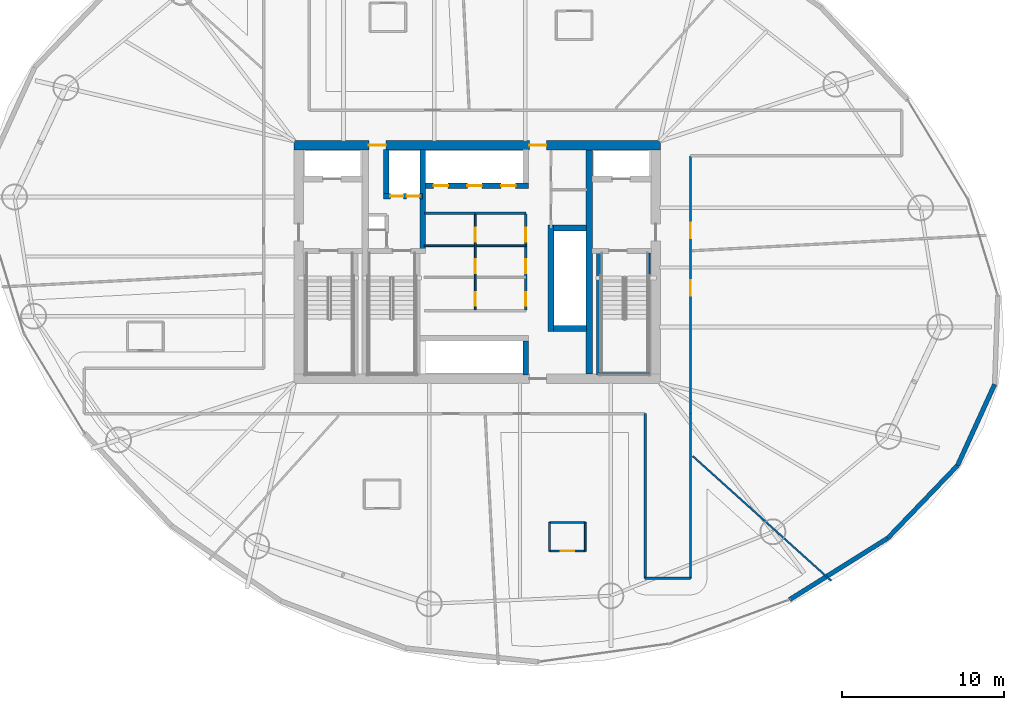
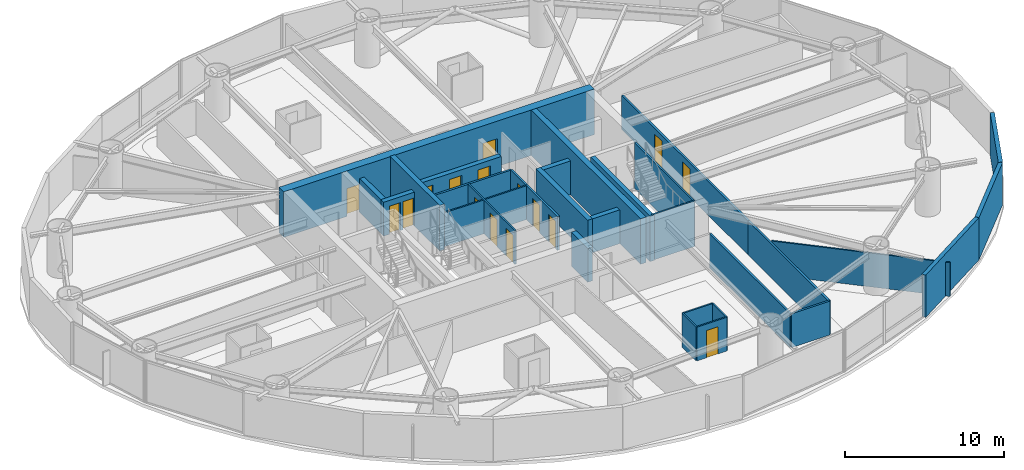
# One storey, part 24 of 30: 29 walls, 16 doors, 16 openings.
"""IFC4 building model written with IfcOpenShell, lengths in metres."""

from ifc_helpers import new_model, si_unit, direction, frame, frame_2d, origin, place, context, subcontext, project, spatial, rectangle, extrude, material, layer, layer_set, type_object, element, fill, save


model = new_model("IFC4")

# Units and contexts
model_context = context("Model", 3, precision=1e-05, world=origin(), true_north=direction((0.0, 1.0)))
body_context = subcontext(model_context, "Body", "Model", "MODEL_VIEW")
ifc_project = project(units=[si_unit("LENGTHUNIT", "METRE"), si_unit("AREAUNIT", "SQUARE_METRE"), si_unit("VOLUMEUNIT", "CUBIC_METRE"), si_unit("PLANEANGLEUNIT", "RADIAN"), si_unit("MASSUNIT", "GRAM", prefix="KILO")], contexts=[model_context])

# Site, building, storey
site_placement = place(None, origin())
site = spatial("IfcSite", under=ifc_project, at=site_placement, CompositionType="ELEMENT")
building_placement = place(site_placement, origin())
building = spatial("IfcBuilding", under=site, at=building_placement, Name="Bramvorn Convention Spire", CompositionType="ELEMENT")
storey_placement = place(building_placement, frame((0.0, 0.0, 86.89990234375)))
storey = spatial("IfcBuildingStorey", under=building, at=storey_placement, Name="L20", CompositionType="ELEMENT", Elevation=86.89990234375)

# Wall, openings, doors
ifc_material_1 = material(Name="Concrete C60/70", Category="concrete")
ifc_layer_1 = layer(ifc_material_1, 0.60009765625)
ifc_layer_set_1 = layer_set([ifc_layer_1], Name="Concrete C60/70 - WL-CORE-600")
wall_type_1 = type_object("IfcWallType", Name="WL-CORE-600", PredefinedType="SHEAR", material=ifc_layer_set_1)
wall_1_placement = place(storey_placement, frame((26.699951171875, 33.199951171875, 0.0), z_axis=(0.0, 0.0, 1.0), x_axis=(1.0, 0.0, 0.0)))
wall_1 = element("IfcWall", 1, at=wall_1_placement, inside=storey, type_object=wall_type_1, Name="L20 North RC core shear wall", PredefinedType="SHEAR", context=body_context, shape_type="SweptSolid", body=[
    extrude(rectangle(XDim=22.60009765625, YDim=0.60009765625, at=frame_2d((11.300048828125, 0.0))), origin(), (0.0, 0.0, 1.0), 3.5),
])
opening_1_placement = place(wall_1_placement, frame((4.6201171875, 0.0, 0.0)))
opening_1 = element("IfcOpeningElement", 2, at=opening_1_placement, cuts=wall_1, Name="Opening DL-105", PredefinedType="OPENING", context=body_context, shape_type="SweptSolid", body=[
    extrude(rectangle(XDim=1.050048828125, YDim=2.14990234375, at=frame_2d((0.52490234375, 1.074951171875))), frame((0.0, 0.31005859375, 0.0), z_axis=(0.0, -1.0, 0.0), x_axis=(1.0, 0.0, 0.0)), (0.0, 0.0, 1.0), 0.6201171875),
])
opening_2_placement = place(wall_1_placement, frame((14.52001953125, 0.0, 0.0)))
opening_2 = element("IfcOpeningElement", 3, at=opening_2_placement, cuts=wall_1, Name="Opening DL-105", PredefinedType="OPENING", context=body_context, shape_type="SweptSolid", body=[
    extrude(rectangle(XDim=1.050048828125, YDim=2.14990234375, at=frame_2d((0.52490234375, 1.074951171875))), frame((0.0, 0.31005859375, 0.0), z_axis=(0.0, -1.0, 0.0), x_axis=(1.0, 0.0, 0.0)), (0.0, 0.0, 1.0), 0.6201171875),
])
ifc_material_2 = material(Name="Smoke-Sealed Fire Lobby Timber-Core Door", Category="wood")
door_type_1 = type_object("IfcDoorType", Name="DR-LOBBY-1050", OperationType="NOTDEFINED", PredefinedType="DOOR", material=ifc_material_2)
door_1_placement = place(opening_1_placement, origin())
door_1 = element("IfcDoor", 4, at=door_1_placement, inside=storey, type_object=door_type_1, Name="L20 Service & Stair ST3 Lobby north corridor door", OperationType="SINGLE_SWING_LEFT", OverallHeight=2.14990234375, OverallWidth=1.050048828125, PredefinedType="DOOR", context=body_context, shape_type="SweptSolid", body=[
    extrude(rectangle(XDim=1.050048828125, YDim=2.14990234375, at=frame_2d((0.52490234375, 1.074951171875))), frame((0.0, 0.02490234375, 0.0), z_axis=(0.0, -1.0, 0.0), x_axis=(1.0, 0.0, 0.0)), (0.0, 0.0, 1.0), 0.050048828125),
])
fill(opening_1, door_1)
door_2_placement = place(opening_2_placement, origin())
door_2 = element("IfcDoor", 5, at=door_2_placement, inside=storey, type_object=door_type_1, Name="L20 North Lift Lobby fire door", OperationType="SINGLE_SWING_LEFT", OverallHeight=2.14990234375, OverallWidth=1.050048828125, PredefinedType="DOOR", context=body_context, shape_type="SweptSolid", body=[
    extrude(rectangle(XDim=1.050048828125, YDim=2.14990234375, at=frame_2d((0.52490234375, 1.074951171875))), frame((0.0, 0.02490234375, 0.0), z_axis=(0.0, -1.0, 0.0), x_axis=(1.0, 0.0, 0.0)), (0.0, 0.0, 1.0), 0.050048828125),
])
fill(opening_2, door_2)

# Wall
ifc_material_3 = material(Name="Concrete C50/60", Category="concrete")
ifc_layer_2 = layer(ifc_material_3, 0.35009765625)
ifc_layer_set_2 = layer_set([ifc_layer_2], Name="Concrete C50/60 - WL-CORE-INT-350")
wall_type_2 = type_object("IfcWallType", Name="WL-CORE-INT-350", PredefinedType="SHEAR", material=ifc_layer_set_2)
wall_2_placement = place(storey_placement, frame((34.639892578125, 26.68994140625, 0.0), z_axis=(0.0, 0.0, 1.0), x_axis=(0.0, 1.0, 0.0)))
element("IfcWall", 6, at=wall_2_placement, inside=storey, type_object=wall_type_2, Name="L20 SV east core shaft wall", PredefinedType="SHEAR", context=body_context, shape_type="SweptSolid", body=[
    extrude(rectangle(XDim=6.260009765625, YDim=0.35009765625, at=frame_2d((3.1298828125, 0.0))), origin(), (0.0, 0.0, 1.0), 3.5),
])

# Wall, openings, doors
wall_3_placement = place(storey_placement, frame((32.22998046875, 30.050048828125, 0.0), z_axis=(0.0, 0.0, 1.0), x_axis=(1.0, 0.0, 0.0)))
wall_3 = element("IfcWall", 7, at=wall_3_placement, inside=storey, type_object=wall_type_2, Name="L20 SV1/SV2 shaft front wall", PredefinedType="SHEAR", context=body_context, shape_type="SweptSolid", body=[
    extrude(rectangle(XDim=2.409912109375, YDim=0.35009765625, at=frame_2d((1.205078125, 0.0))), origin(), (0.0, 0.0, 1.0), 2.60009765625),
])
opening_3_placement = place(wall_3_placement, frame((0.419921875, 0.0, 0.0)))
opening_3 = element("IfcOpeningElement", 8, at=opening_3_placement, cuts=wall_3, Name="Opening LD-080", PredefinedType="OPENING", context=body_context, shape_type="SweptSolid", body=[
    extrude(rectangle(XDim=0.800048828125, YDim=2.14990234375, at=frame_2d((0.39990234375, 1.074951171875))), frame((0.0, 0.18505859375, 0.0), z_axis=(0.0, -1.0, 0.0), x_axis=(1.0, 0.0, 0.0)), (0.0, 0.0, 1.0), 0.3701171875),
])
opening_4_placement = place(wall_3_placement, frame((1.419921875, 0.0, 0.0)))
opening_4 = element("IfcOpeningElement", 9, at=opening_4_placement, cuts=wall_3, Name="Opening LD-080", PredefinedType="OPENING", context=body_context, shape_type="SweptSolid", body=[
    extrude(rectangle(XDim=0.800048828125, YDim=2.14990234375, at=frame_2d((0.39990234375, 1.074951171875))), frame((0.0, 0.18505859375, 0.0), z_axis=(0.0, -1.0, 0.0), x_axis=(1.0, 0.0, 0.0)), (0.0, 0.0, 1.0), 0.3701171875),
])
ifc_material_4 = material(Name="Service Lift Bi-Parting Landing Door", Category="steel")
door_type_2 = type_object("IfcDoorType", Name="DR-LIFT-LD-800", OperationType="NOTDEFINED", PredefinedType="DOOR", material=ifc_material_4)
door_3_placement = place(opening_3_placement, origin())
door_3 = element("IfcDoor", 10, at=door_3_placement, inside=storey, type_object=door_type_2, Name="L20 Lift SV1 Sliding Landing Door", OperationType="SLIDING_TO_LEFT", OverallHeight=2.14990234375, OverallWidth=0.800048828125, PredefinedType="DOOR", context=body_context, shape_type="SweptSolid", body=[
    extrude(rectangle(XDim=0.800048828125, YDim=2.14990234375, at=frame_2d((0.39990234375, 1.074951171875))), frame((0.0, 0.02490234375, 0.0), z_axis=(0.0, -1.0, 0.0), x_axis=(1.0, 0.0, 0.0)), (0.0, 0.0, 1.0), 0.050048828125),
])
fill(opening_3, door_3)
door_4_placement = place(opening_4_placement, origin())
door_4 = element("IfcDoor", 11, at=door_4_placement, inside=storey, type_object=door_type_2, Name="L20 Lift SV2 Sliding Landing Door", OperationType="SLIDING_TO_LEFT", OverallHeight=2.14990234375, OverallWidth=0.800048828125, PredefinedType="DOOR", context=body_context, shape_type="SweptSolid", body=[
    extrude(rectangle(XDim=0.800048828125, YDim=2.14990234375, at=frame_2d((0.39990234375, 1.074951171875))), frame((0.0, 0.02490234375, 0.0), z_axis=(0.0, -1.0, 0.0), x_axis=(1.0, 0.0, 0.0)), (0.0, 0.0, 1.0), 0.050048828125),
])
fill(opening_4, door_4)

# Walls
wall_4_placement = place(storey_placement, frame((32.39990234375, 30.219970703125, 0.0), z_axis=(0.0, 0.0, 1.0), x_axis=(0.0, 1.0, 0.0)))
element("IfcWall", 12, at=wall_4_placement, inside=storey, type_object=wall_type_2, Name="L20 SV1 west hoistway wall", PredefinedType="SHEAR", context=body_context, shape_type="SweptSolid", body=[
    extrude(rectangle(XDim=2.72998046875, YDim=0.35009765625, at=frame_2d((1.364990234375, 0.0))), origin(), (0.0, 0.0, 1.0), 2.60009765625),
])
wall_5_placement = place(storey_placement, frame((42.550048828125, 21.72998046875, 0.0), z_axis=(0.0, 0.0, 1.0), x_axis=(0.0, 1.0, 0.0)))
element("IfcWall", 13, at=wall_5_placement, inside=storey, type_object=wall_type_2, Name="L20 High-rise lift bank west wall", PredefinedType="SHEAR", context=body_context, shape_type="SweptSolid", body=[
    extrude(rectangle(XDim=6.5400390625, YDim=0.35009765625, at=frame_2d((3.27001953125, 0.0))), origin(), (0.0, 0.0, 1.0), 2.60009765625),
])
for number, where, z_axis, x_axis, name in (
    (14, (42.719970703125, 21.89990234375, 0.0), (0.0, 0.0, 1.0), (1.0, 0.0, 0.0), "L20 High-rise lift bank south wall"),
    (15, (42.719970703125, 28.10009765625, 0.0), (0.0, 0.0, 1.0), (1.0, 0.0, 0.0), "L20 High-rise lift bank north wall"),
):
    element("IfcWall", number, at=place(storey_placement, frame(where, z_axis=z_axis, x_axis=x_axis)), inside=storey, type_object=wall_type_2, Name=name, PredefinedType="SHEAR", context=body_context, shape_type="SweptSolid", body=[
        extrude(rectangle(XDim=2.030029296875, YDim=0.35009765625, at=frame_2d((1.01513671875, 0.0))), origin(), (0.0, 0.0, 1.0), 2.60009765625),
    ])

# Wall, openings, doors
wall_6_placement = place(storey_placement, frame((34.81005859375, 30.699951171875, 0.0), z_axis=(0.0, 0.0, 1.0), x_axis=(1.0, 0.0, 0.0)))
wall_6 = element("IfcWall", 16, at=wall_6_placement, inside=storey, type_object=wall_type_2, Name="L20 Low-rise bank south landing wall", PredefinedType="SHEAR", context=body_context, shape_type="SweptSolid", body=[
    extrude(rectangle(XDim=6.35986328125, YDim=0.35009765625, at=frame_2d((3.179931640625, 0.0))), origin(), (0.0, 0.0, 1.0), 2.60009765625),
])
opening_5_placement = place(wall_6_placement, frame((0.5, 0.0, 0.0)))
opening_5 = element("IfcOpeningElement", 17, at=opening_5_placement, cuts=wall_6, Name="Opening LD-090", PredefinedType="OPENING", context=body_context, shape_type="SweptSolid", body=[
    extrude(rectangle(XDim=0.89990234375, YDim=2.14990234375, at=frame_2d((0.449951171875, 1.074951171875))), frame((0.0, 0.18505859375, 0.0), z_axis=(0.0, -1.0, 0.0), x_axis=(1.0, 0.0, 0.0)), (0.0, 0.0, 1.0), 0.3701171875),
])
opening_6_placement = place(wall_6_placement, frame((2.580078125, 0.0, 0.0)))
opening_6 = element("IfcOpeningElement", 18, at=opening_6_placement, cuts=wall_6, Name="Opening LD-090", PredefinedType="OPENING", context=body_context, shape_type="SweptSolid", body=[
    extrude(rectangle(XDim=0.89990234375, YDim=2.14990234375, at=frame_2d((0.449951171875, 1.074951171875))), frame((0.0, 0.18505859375, 0.0), z_axis=(0.0, -1.0, 0.0), x_axis=(1.0, 0.0, 0.0)), (0.0, 0.0, 1.0), 0.3701171875),
])
opening_7_placement = place(wall_6_placement, frame((4.659912109375, 0.0, 0.0)))
opening_7 = element("IfcOpeningElement", 19, at=opening_7_placement, cuts=wall_6, Name="Opening LD-090", PredefinedType="OPENING", context=body_context, shape_type="SweptSolid", body=[
    extrude(rectangle(XDim=0.89990234375, YDim=2.14990234375, at=frame_2d((0.449951171875, 1.074951171875))), frame((0.0, 0.18505859375, 0.0), z_axis=(0.0, -1.0, 0.0), x_axis=(1.0, 0.0, 0.0)), (0.0, 0.0, 1.0), 0.3701171875),
])
ifc_material_5 = material(Name="Bi-Parting Fire-Rated Lift Landing Door", Category="steel")
door_type_3 = type_object("IfcDoorType", Name="DR-LIFT-LD-900", OperationType="NOTDEFINED", PredefinedType="DOOR", material=ifc_material_5)
door_5_placement = place(opening_5_placement, origin())
door_5 = element("IfcDoor", 20, at=door_5_placement, inside=storey, type_object=door_type_3, Name="L20 Lift PL1 Sliding Landing Door", OperationType="SLIDING_TO_LEFT", OverallHeight=2.14990234375, OverallWidth=0.89990234375, PredefinedType="DOOR", context=body_context, shape_type="SweptSolid", body=[
    extrude(rectangle(XDim=0.89990234375, YDim=2.14990234375, at=frame_2d((0.449951171875, 1.074951171875))), frame((0.0, 0.02490234375, 0.0), z_axis=(0.0, -1.0, 0.0), x_axis=(1.0, 0.0, 0.0)), (0.0, 0.0, 1.0), 0.050048828125),
])
fill(opening_5, door_5)
door_6_placement = place(opening_6_placement, origin())
door_6 = element("IfcDoor", 21, at=door_6_placement, inside=storey, type_object=door_type_3, Name="L20 Lift PL2 Sliding Landing Door", OperationType="SLIDING_TO_LEFT", OverallHeight=2.14990234375, OverallWidth=0.89990234375, PredefinedType="DOOR", context=body_context, shape_type="SweptSolid", body=[
    extrude(rectangle(XDim=0.89990234375, YDim=2.14990234375, at=frame_2d((0.449951171875, 1.074951171875))), frame((0.0, 0.02490234375, 0.0), z_axis=(0.0, -1.0, 0.0), x_axis=(1.0, 0.0, 0.0)), (0.0, 0.0, 1.0), 0.050048828125),
])
fill(opening_6, door_6)
door_7_placement = place(opening_7_placement, origin())
door_7 = element("IfcDoor", 22, at=door_7_placement, inside=storey, type_object=door_type_3, Name="L20 Lift PL3 Sliding Landing Door", OperationType="SLIDING_TO_LEFT", OverallHeight=2.14990234375, OverallWidth=0.89990234375, PredefinedType="DOOR", context=body_context, shape_type="SweptSolid", body=[
    extrude(rectangle(XDim=0.89990234375, YDim=2.14990234375, at=frame_2d((0.449951171875, 1.074951171875))), frame((0.0, 0.02490234375, 0.0), z_axis=(0.0, -1.0, 0.0), x_axis=(1.0, 0.0, 0.0)), (0.0, 0.0, 1.0), 0.050048828125),
])
fill(opening_7, door_7)

# Walls
wall_7_placement = place(storey_placement, frame((41.0, 19.050048828125, 0.0), z_axis=(0.0, 0.0, 1.0), x_axis=(0.0, 1.0, 0.0)))
element("IfcWall", 23, at=wall_7_placement, inside=storey, type_object=wall_type_2, Name="L20 Mid-rise bank east cheek wall", PredefinedType="SHEAR", context=body_context, shape_type="SweptSolid", body=[
    extrude(rectangle(XDim=2.079833984375, YDim=0.35009765625, at=frame_2d((1.0400390625, 0.0))), origin(), (0.0, 0.0, 1.0), 2.60009765625),
])
ifc_layer_3 = layer(ifc_material_1, 0.39990234375)
ifc_layer_set_3 = layer_set([ifc_layer_3], Name="Concrete C60/70 - WL-CORE-INT-400")
wall_type_3 = type_object("IfcWallType", Name="WL-CORE-INT-400", PredefinedType="SHEAR", material=ifc_layer_set_3)
wall_8_placement = place(storey_placement, frame((44.89990234375, 19.10009765625, 0.0), z_axis=(0.0, 0.0, 1.0), x_axis=(0.0, 1.0, 0.0)))
element("IfcWall", 24, at=wall_8_placement, inside=storey, type_object=wall_type_3, Name="L20 East internal core shear web", PredefinedType="SHEAR", context=body_context, shape_type="SweptSolid", body=[
    extrude(rectangle(XDim=13.7998046875, YDim=0.39990234375, at=frame_2d((6.89990234375, 0.0))), origin(), (0.0, 0.0, 1.0), 3.5),
])
ifc_material_6 = material(Name="Precast Concrete C40/50 with Bronze Terracotta Rainscreen", Category="masonry")
ifc_layer_4 = layer(ifc_material_6, 0.300048828125)
ifc_layer_set_4 = layer_set([ifc_layer_4], Name="Precast Concrete C40/50 with Bronze Terracotta Rainscreen - WL-EXT-BRONZE-300")
wall_type_4 = type_object("IfcWallType", Name="WL-EXT-BRONZE-300", PredefinedType="SOLIDWALL", material=ifc_layer_set_4)
wall_9_placement = place(storey_placement, frame((63.31201171875, 8.97802734375, 0.0), z_axis=(0.0, 0.0, 1.0), x_axis=(-0.847464048159, -0.530852792287, 0.0)))
element("IfcWall", 25, at=wall_9_placement, inside=storey, type_object=wall_type_4, Name="L20 expressed bronze Gothic lancet pier wall 22", PredefinedType="SOLIDWALL", context=body_context, shape_type="SweptSolid", body=[
    extrude(rectangle(XDim=7.142822265625, YDim=0.280029296875, at=frame_2d((3.5712890625, 0.0))), origin(), (0.0, 0.0, 1.0), 3.25),
])
wall_10_placement = place(storey_placement, frame((67.61328125, 13.4599609375, 0.0), z_axis=(0.0, 0.0, 1.0), x_axis=(-0.692415648775, -0.721498835294, 0.0)))
element("IfcWall", 26, at=wall_10_placement, inside=storey, type_object=wall_type_4, Name="L20 expressed bronze Gothic lancet pier wall 23", PredefinedType="SOLIDWALL", context=body_context, shape_type="SweptSolid", body=[
    extrude(rectangle(XDim=6.2119140625, YDim=0.280029296875, at=frame_2d((3.10595703125, 0.0))), origin(), (0.0, 0.0, 1.0), 3.25),
])
wall_11_placement = place(storey_placement, frame((69.90087890625, 18.458984375, 0.0), z_axis=(0.0, 0.0, 1.0), x_axis=(-0.416110261885, -0.909314164606, 0.0)))
element("IfcWall", 27, at=wall_11_placement, inside=storey, type_object=wall_type_4, Name="L20 expressed bronze Gothic lancet pier wall 24", PredefinedType="SOLIDWALL", context=body_context, shape_type="SweptSolid", body=[
    extrude(rectangle(XDim=5.49755859375, YDim=0.280029296875, at=frame_2d((2.748779296875, 0.0))), origin(), (0.0, 0.0, 1.0), 3.25),
])

# Wall, openings, doors
ifc_material_7 = material(Name="Lightweight En-Suite & Wet-Wall Partition", Category="gypsum")
ifc_layer_5 = layer(ifc_material_7, 0.110107421875)
ifc_layer_set_5 = layer_set([ifc_layer_5], Name="Lightweight En-Suite & Wet-Wall Partition - WL-PART-110")
wall_type_5 = type_object("IfcWallType", Name="WL-PART-110", PredefinedType="PARTITIONING", material=ifc_layer_set_5)
wall_12_placement = place(storey_placement, frame((37.8798828125, 23.050048828125, 0.0), z_axis=(0.0, 0.0, 1.0), x_axis=(0.0, 1.0, 0.0)))
wall_12 = element("IfcWall", 28, at=wall_12_placement, inside=storey, type_object=wall_type_5, Name="L20 KB center wall", PredefinedType="PARTITIONING", context=body_context, shape_type="SweptSolid", body=[
    extrude(rectangle(XDim=5.89990234375, YDim=0.110107421875, at=frame_2d((2.949951171875, 0.0))), origin(), (0.0, 0.0, 1.0), 2.60009765625),
])
opening_8_placement = place(wall_12_placement, frame((0.25, 0.0, 0.0)))
opening_8 = element("IfcOpeningElement", 29, at=opening_8_placement, cuts=wall_12, Name="Opening DC-085", PredefinedType="OPENING", context=body_context, shape_type="SweptSolid", body=[
    extrude(rectangle(XDim=0.85009765625, YDim=2.10009765625, at=frame_2d((0.425048828125, 1.050048828125))), frame((0.0, 0.06494140625, 0.0), z_axis=(0.0, -1.0, 0.0), x_axis=(1.0, 0.0, 0.0)), (0.0, 0.0, 1.0), 0.130126953125),
])
opening_9_placement = place(wall_12_placement, frame((2.256103515625, 0.0, 0.0)))
opening_9 = element("IfcOpeningElement", 30, at=opening_9_placement, cuts=wall_12, Name="Opening DC-085", PredefinedType="OPENING", context=body_context, shape_type="SweptSolid", body=[
    extrude(rectangle(XDim=0.85009765625, YDim=2.10009765625, at=frame_2d((0.425048828125, 1.050048828125))), frame((0.0, 0.06494140625, 0.0), z_axis=(0.0, -1.0, 0.0), x_axis=(1.0, 0.0, 0.0)), (0.0, 0.0, 1.0), 0.130126953125),
])
opening_10_placement = place(wall_12_placement, frame((4.202880859375, 0.0, 0.0)))
opening_10 = element("IfcOpeningElement", 31, at=opening_10_placement, cuts=wall_12, Name="Opening DC-085", PredefinedType="OPENING", context=body_context, shape_type="SweptSolid", body=[
    extrude(rectangle(XDim=0.85009765625, YDim=2.10009765625, at=frame_2d((0.425048828125, 1.050048828125))), frame((0.0, 0.06494140625, 0.0), z_axis=(0.0, -1.0, 0.0), x_axis=(1.0, 0.0, 0.0)), (0.0, 0.0, 1.0), 0.130126953125),
])
ifc_material_8 = material(Name="Fire-Rated Core Washroom & IDF Door", Category="wood")
door_type_4 = type_object("IfcDoorType", Name="DR-CORE-850", OperationType="NOTDEFINED", PredefinedType="DOOR", material=ifc_material_8)
door_8_placement = place(opening_8_placement, origin())
door_8 = element("IfcDoor", 32, at=door_8_placement, inside=storey, type_object=door_type_4, Name="L20 Core Linen Store door", OperationType="SINGLE_SWING_LEFT", OverallHeight=2.10009765625, OverallWidth=0.85009765625, PredefinedType="DOOR", context=body_context, shape_type="SweptSolid", body=[
    extrude(rectangle(XDim=0.85009765625, YDim=2.10009765625, at=frame_2d((0.425048828125, 1.050048828125))), frame((0.0, 0.02490234375, 0.0), z_axis=(0.0, -1.0, 0.0), x_axis=(1.0, 0.0, 0.0)), (0.0, 0.0, 1.0), 0.050048828125),
])
fill(opening_8, door_8)
door_9_placement = place(opening_9_placement, origin())
door_9 = element("IfcDoor", 33, at=door_9_placement, inside=storey, type_object=door_type_4, Name="L20 Core Metering Closet door", OperationType="SINGLE_SWING_LEFT", OverallHeight=2.10009765625, OverallWidth=0.85009765625, PredefinedType="DOOR", context=body_context, shape_type="SweptSolid", body=[
    extrude(rectangle(XDim=0.85009765625, YDim=2.10009765625, at=frame_2d((0.425048828125, 1.050048828125))), frame((0.0, 0.02490234375, 0.0), z_axis=(0.0, -1.0, 0.0), x_axis=(1.0, 0.0, 0.0)), (0.0, 0.0, 1.0), 0.050048828125),
])
fill(opening_9, door_9)
door_10_placement = place(opening_10_placement, origin())
door_10 = element("IfcDoor", 34, at=door_10_placement, inside=storey, type_object=door_type_4, Name="L20 Core Janitor Supply door", OperationType="SINGLE_SWING_LEFT", OverallHeight=2.10009765625, OverallWidth=0.85009765625, PredefinedType="DOOR", context=body_context, shape_type="SweptSolid", body=[
    extrude(rectangle(XDim=0.85009765625, YDim=2.10009765625, at=frame_2d((0.425048828125, 1.050048828125))), frame((0.0, 0.02490234375, 0.0), z_axis=(0.0, -1.0, 0.0), x_axis=(1.0, 0.0, 0.0)), (0.0, 0.0, 1.0), 0.050048828125),
])
fill(opening_10, door_10)

# Walls
wall_13_placement = place(storey_placement, frame((34.75, 27.0029296875, 0.0), z_axis=(0.0, 0.0, 1.0), x_axis=(1.0, 0.0, 0.0)))
element("IfcWall", 35, at=wall_13_placement, inside=storey, type_object=wall_type_5, Name="L20 KB divider 2", PredefinedType="PARTITIONING", context=body_context, shape_type="SweptSolid", body=[
    extrude(rectangle(XDim=6.25, YDim=0.110107421875, at=frame_2d((3.125, 0.0))), origin(), (0.0, 0.0, 1.0), 2.60009765625),
])
wall_14_placement = place(storey_placement, frame((51.2900390625, 14.03369140625, 0.0), z_axis=(0.0, 0.0, 1.0), x_axis=(0.74313790917, -0.669138287616, 0.0)))
element("IfcWall", 36, at=wall_14_placement, inside=storey, type_object=wall_type_5, Name="L20 Guestroom demising wall 8", PredefinedType="PARTITIONING", context=body_context, shape_type="SweptSolid", body=[
    extrude(rectangle(XDim=11.5009765625, YDim=0.110107421875, at=frame_2d((5.75048828125, 0.0))), origin(), (0.0, 0.0, 1.0), 2.60009765625),
])

# Wall, opening, door
wall_15_placement = place(storey_placement, frame((42.459716796875, 8.184326171875, 0.0), z_axis=(0.0, 0.0, 1.0), x_axis=(1.0, 0.0, 0.0)))
wall_15 = element("IfcWall", 37, at=wall_15_placement, inside=storey, type_object=wall_type_5, Name="Hotel Suite 2007 en-suite south wall", PredefinedType="PARTITIONING", context=body_context, shape_type="SweptSolid", body=[
    extrude(rectangle(XDim=2.199951171875, YDim=0.110107421875, at=frame_2d((1.10009765625, 0.0))), origin(), (0.0, 0.0, 1.0), 2.60009765625),
])
opening_11_placement = place(wall_15_placement, frame((0.679931640625, 0.0, 0.0)))
opening_11 = element("IfcOpeningElement", 38, at=opening_11_placement, cuts=wall_15, Name="Opening DI-085", PredefinedType="OPENING", context=body_context, shape_type="SweptSolid", body=[
    extrude(rectangle(XDim=0.85009765625, YDim=2.10009765625, at=frame_2d((0.425048828125, 1.050048828125))), frame((0.0, 0.06494140625, 0.0), z_axis=(0.0, -1.0, 0.0), x_axis=(1.0, 0.0, 0.0)), (0.0, 0.0, 1.0), 0.130126953125),
])
ifc_material_9 = material(Name="En-Suite & Restroom Privacy Door", Category="wood")
door_type_5 = type_object("IfcDoorType", Name="DR-INT-850", OperationType="NOTDEFINED", PredefinedType="DOOR", material=ifc_material_9)
door_11_placement = place(opening_11_placement, origin())
door_11 = element("IfcDoor", 39, at=door_11_placement, inside=storey, type_object=door_type_5, Name="Hotel Suite 2007 En-Suite Bathroom door", OperationType="SINGLE_SWING_LEFT", OverallHeight=2.10009765625, OverallWidth=0.85009765625, PredefinedType="DOOR", context=body_context, shape_type="SweptSolid", body=[
    extrude(rectangle(XDim=0.85009765625, YDim=2.10009765625, at=frame_2d((0.425048828125, 1.050048828125))), frame((0.0, 0.02490234375, 0.0), z_axis=(0.0, -1.0, 0.0), x_axis=(1.0, 0.0, 0.0)), (0.0, 0.0, 1.0), 0.050048828125),
])
fill(opening_11, door_11)

# Walls
wall_16_placement = place(storey_placement, frame((42.459716796875, 9.9443359375, 0.0), z_axis=(0.0, 0.0, 1.0), x_axis=(1.0, 0.0, 0.0)))
element("IfcWall", 40, at=wall_16_placement, inside=storey, type_object=wall_type_5, Name="Hotel Suite 2007 en-suite north wall", PredefinedType="PARTITIONING", context=body_context, shape_type="SweptSolid", body=[
    extrude(rectangle(XDim=2.199951171875, YDim=0.110107421875, at=frame_2d((1.10009765625, 0.0))), origin(), (0.0, 0.0, 1.0), 2.60009765625),
])
for number, where, z_axis, x_axis, name in (
    (41, (42.459716796875, 8.184326171875, 0.0), (0.0, 0.0, 1.0), (0.0, 1.0, 0.0), "Hotel Suite 2007 en-suite west wall"),
    (42, (44.65966796875, 8.184326171875, 0.0), (0.0, 0.0, 1.0), (0.0, 1.0, 0.0), "Hotel Suite 2007 en-suite east wall"),
):
    element("IfcWall", number, at=place(storey_placement, frame(where, z_axis=z_axis, x_axis=x_axis)), inside=storey, type_object=wall_type_5, Name=name, PredefinedType="PARTITIONING", context=body_context, shape_type="SweptSolid", body=[
        extrude(rectangle(XDim=1.760009765625, YDim=0.110107421875, at=frame_2d((0.8798828125, 0.0))), origin(), (0.0, 0.0, 1.0), 2.60009765625),
    ])
ifc_material_10 = material(Name="Acoustic Metal-Stud Tenant/Corridor Partition", Category="gypsum")
ifc_layer_6 = layer(ifc_material_10, 0.14990234375)
ifc_layer_set_6 = layer_set([ifc_layer_6], Name="Acoustic Metal-Stud Tenant/Corridor Partition - WL-PART-150")
wall_type_6 = type_object("IfcWallType", Name="WL-PART-150", PredefinedType="PARTITIONING", material=ifc_layer_set_6)
wall_17_placement = place(storey_placement, frame((34.75, 29.0, 0.0), z_axis=(0.0, 0.0, 1.0), x_axis=(1.0, 0.0, 0.0)))
element("IfcWall", 43, at=wall_17_placement, inside=storey, type_object=wall_type_6, Name="L20 Low-rise lift vestibule south wall", PredefinedType="PARTITIONING", context=body_context, shape_type="SweptSolid", body=[
    extrude(rectangle(XDim=6.25, YDim=0.14990234375, at=frame_2d((3.125, 0.0))), origin(), (0.0, 0.0, 1.0), 2.60009765625),
])

# Wall, openings, doors
wall_18_placement = place(storey_placement, frame((41.0, 23.050048828125, 0.0), z_axis=(0.0, 0.0, 1.0), x_axis=(0.0, 1.0, 0.0)))
wall_18 = element("IfcWall", 44, at=wall_18_placement, inside=storey, type_object=wall_type_6, Name="L20 KB east core wall", PredefinedType="PARTITIONING", context=body_context, shape_type="SweptSolid", body=[
    extrude(rectangle(XDim=5.89990234375, YDim=0.14990234375, at=frame_2d((2.949951171875, 0.0))), origin(), (0.0, 0.0, 1.0), 2.60009765625),
])
opening_12_placement = place(wall_18_placement, frame((0.25, 0.0, 0.0)))
opening_12 = element("IfcOpeningElement", 45, at=opening_12_placement, cuts=wall_18, Name="Opening DC-085", PredefinedType="OPENING", context=body_context, shape_type="SweptSolid", body=[
    extrude(rectangle(XDim=0.85009765625, YDim=2.10009765625, at=frame_2d((0.425048828125, 1.050048828125))), frame((0.0, 0.0849609375, 0.0), z_axis=(0.0, -1.0, 0.0), x_axis=(1.0, 0.0, 0.0)), (0.0, 0.0, 1.0), 0.169921875),
])
opening_13_placement = place(wall_18_placement, frame((2.256103515625, 0.0, 0.0)))
opening_13 = element("IfcOpeningElement", 46, at=opening_13_placement, cuts=wall_18, Name="Opening DC-085", PredefinedType="OPENING", context=body_context, shape_type="SweptSolid", body=[
    extrude(rectangle(XDim=0.85009765625, YDim=2.10009765625, at=frame_2d((0.425048828125, 1.050048828125))), frame((0.0, 0.0849609375, 0.0), z_axis=(0.0, -1.0, 0.0), x_axis=(1.0, 0.0, 0.0)), (0.0, 0.0, 1.0), 0.169921875),
])
opening_14_placement = place(wall_18_placement, frame((4.202880859375, 0.0, 0.0)))
opening_14 = element("IfcOpeningElement", 47, at=opening_14_placement, cuts=wall_18, Name="Opening DC-085", PredefinedType="OPENING", context=body_context, shape_type="SweptSolid", body=[
    extrude(rectangle(XDim=0.85009765625, YDim=2.10009765625, at=frame_2d((0.425048828125, 1.050048828125))), frame((0.0, 0.0849609375, 0.0), z_axis=(0.0, -1.0, 0.0), x_axis=(1.0, 0.0, 0.0)), (0.0, 0.0, 1.0), 0.169921875),
])
door_12_placement = place(opening_12_placement, origin())
door_12 = element("IfcDoor", 48, at=door_12_placement, inside=storey, type_object=door_type_4, Name="L20 Accessible Core Restroom door", OperationType="SINGLE_SWING_LEFT", OverallHeight=2.10009765625, OverallWidth=0.85009765625, PredefinedType="DOOR", context=body_context, shape_type="SweptSolid", body=[
    extrude(rectangle(XDim=0.85009765625, YDim=2.10009765625, at=frame_2d((0.425048828125, 1.050048828125))), frame((0.0, 0.02490234375, 0.0), z_axis=(0.0, -1.0, 0.0), x_axis=(1.0, 0.0, 0.0)), (0.0, 0.0, 1.0), 0.050048828125),
])
fill(opening_12, door_12)
door_13_placement = place(opening_13_placement, origin())
door_13 = element("IfcDoor", 49, at=door_13_placement, inside=storey, type_object=door_type_4, Name="L20 Floor Housekeeping & Linen Store door", OperationType="SINGLE_SWING_LEFT", OverallHeight=2.10009765625, OverallWidth=0.85009765625, PredefinedType="DOOR", context=body_context, shape_type="SweptSolid", body=[
    extrude(rectangle(XDim=0.85009765625, YDim=2.10009765625, at=frame_2d((0.425048828125, 1.050048828125))), frame((0.0, 0.02490234375, 0.0), z_axis=(0.0, -1.0, 0.0), x_axis=(1.0, 0.0, 0.0)), (0.0, 0.0, 1.0), 0.050048828125),
])
fill(opening_13, door_13)
door_14_placement = place(opening_14_placement, origin())
door_14 = element("IfcDoor", 50, at=door_14_placement, inside=storey, type_object=door_type_4, Name="L20 Gender-Neutral Core WC door", OperationType="SINGLE_SWING_LEFT", OverallHeight=2.10009765625, OverallWidth=0.85009765625, PredefinedType="DOOR", context=body_context, shape_type="SweptSolid", body=[
    extrude(rectangle(XDim=0.85009765625, YDim=2.10009765625, at=frame_2d((0.425048828125, 1.050048828125))), frame((0.0, 0.02490234375, 0.0), z_axis=(0.0, -1.0, 0.0), x_axis=(1.0, 0.0, 0.0)), (0.0, 0.0, 1.0), 0.050048828125),
])
fill(opening_14, door_14)

wall_19_placement = place(storey_placement, frame((51.14990234375, 16.64990234375, 0.0), z_axis=(0.0, 0.0, 1.0), x_axis=(0.0, 1.0, 0.0)))
wall_19 = element("IfcWall", 51, at=wall_19_placement, inside=storey, type_object=wall_type_6, Name="L20 East ring corridor wall", PredefinedType="PARTITIONING", context=body_context, shape_type="SweptSolid", body=[
    extrude(rectangle(XDim=15.900146484375, YDim=0.14990234375, at=frame_2d((7.9501953125, 0.0))), origin(), (0.0, 0.0, 1.0), 2.60009765625),
])
opening_15_placement = place(wall_19_placement, frame((10.81201171875, 0.0, 0.0)))
opening_15 = element("IfcOpeningElement", 52, at=opening_15_placement, cuts=wall_19, Name="Opening DH-095", PredefinedType="OPENING", context=body_context, shape_type="SweptSolid", body=[
    extrude(rectangle(XDim=0.949951171875, YDim=2.14990234375, at=frame_2d((0.47509765625, 1.074951171875))), frame((0.0, 0.0849609375, 0.0), z_axis=(0.0, -1.0, 0.0), x_axis=(1.0, 0.0, 0.0)), (0.0, 0.0, 1.0), 0.169921875),
])
opening_16_placement = place(wall_19_placement, frame((7.28125, 0.0, 0.0)))
opening_16 = element("IfcOpeningElement", 53, at=opening_16_placement, cuts=wall_19, Name="Opening DH-095", PredefinedType="OPENING", context=body_context, shape_type="SweptSolid", body=[
    extrude(rectangle(XDim=0.949951171875, YDim=2.14990234375, at=frame_2d((0.47509765625, 1.074951171875))), frame((0.0, 0.0849609375, 0.0), z_axis=(0.0, -1.0, 0.0), x_axis=(1.0, 0.0, 0.0)), (0.0, 0.0, 1.0), 0.169921875),
])
ifc_material_11 = material(Name="Solid-Core Acoustic Guestroom Entry Door", Category="wood")
door_type_6 = type_object("IfcDoorType", Name="DR-HOTEL-950", OperationType="NOTDEFINED", PredefinedType="DOOR", material=ifc_material_11)
door_15_placement = place(opening_15_placement, origin())
door_15 = element("IfcDoor", 54, at=door_15_placement, inside=storey, type_object=door_type_6, Name="L20 Hospitality Lounge 1 door", OperationType="SINGLE_SWING_LEFT", OverallHeight=2.14990234375, OverallWidth=0.949951171875, PredefinedType="DOOR", context=body_context, shape_type="SweptSolid", body=[
    extrude(rectangle(XDim=0.949951171875, YDim=2.14990234375, at=frame_2d((0.47509765625, 1.074951171875))), frame((0.0, 0.02490234375, 0.0), z_axis=(0.0, -1.0, 0.0), x_axis=(1.0, 0.0, 0.0)), (0.0, 0.0, 1.0), 0.050048828125),
])
fill(opening_15, door_15)
door_16_placement = place(opening_16_placement, origin())
door_16 = element("IfcDoor", 55, at=door_16_placement, inside=storey, type_object=door_type_6, Name="L20 Hospitality Salon 8 door", OperationType="SINGLE_SWING_RIGHT", OverallHeight=2.14990234375, OverallWidth=0.949951171875, PredefinedType="DOOR", context=body_context, shape_type="SweptSolid", body=[
    extrude(rectangle(XDim=0.949951171875, YDim=2.14990234375, at=frame_2d((0.47509765625, 1.074951171875))), frame((0.0, 0.02490234375, 0.0), z_axis=(0.0, -1.0, 0.0), x_axis=(1.0, 0.0, 0.0)), (0.0, 0.0, 1.0), 0.050048828125),
])
fill(opening_16, door_16)

# Walls
for number, where, z_axis, x_axis, name in (
    (56, (48.35009765625, 6.5, 0.0), (0.0, 0.0, 1.0), (0.0, 1.0, 0.0), "L20 SE pinwheel wing west wall"),
    (57, (51.14990234375, 6.5, 0.0), (0.0, 0.0, 1.0), (0.0, 1.0, 0.0), "L20 SE pinwheel wing east wall"),
):
    element("IfcWall", number, at=place(storey_placement, frame(where, z_axis=z_axis, x_axis=x_axis)), inside=storey, type_object=wall_type_6, Name=name, PredefinedType="PARTITIONING", context=body_context, shape_type="SweptSolid", body=[
        extrude(rectangle(XDim=10.14990234375, YDim=0.14990234375, at=frame_2d((5.074951171875, 0.0))), origin(), (0.0, 0.0, 1.0), 2.60009765625),
    ])
wall_20_placement = place(storey_placement, frame((48.35009765625, 6.5, 0.0), z_axis=(0.0, 0.0, 1.0), x_axis=(1.0, 0.0, 0.0)))
element("IfcWall", 58, at=wall_20_placement, inside=storey, type_object=wall_type_6, Name="L20 SE pinwheel end wall", PredefinedType="PARTITIONING", context=body_context, shape_type="SweptSolid", body=[
    extrude(rectangle(XDim=2.7998046875, YDim=0.14990234375, at=frame_2d((1.39990234375, 0.0))), origin(), (0.0, 0.0, 1.0), 2.60009765625),
])
ifc_layer_7 = layer(ifc_material_3, 0.300048828125)
ifc_layer_set_7 = layer_set([ifc_layer_7], Name="Concrete C50/60 - WL-POD-STAIR-300")
wall_type_7 = type_object("IfcWallType", Name="WL-POD-STAIR-300", PredefinedType="SHEAR", material=ifc_layer_set_7)
wall_21_placement = place(storey_placement, frame((45.510009765625, 19.050048828125, 0.0), z_axis=(0.0, 0.0, 1.0), x_axis=(0.0, 1.0, 0.0)))
element("IfcWall", 59, at=wall_21_placement, inside=storey, type_object=wall_type_7, Name="L20 ST2 west bearing wall", PredefinedType="SHEAR", context=body_context, shape_type="SweptSolid", body=[
    extrude(rectangle(XDim=7.5, YDim=0.300048828125, at=frame_2d((3.75, 0.0))), origin(), (0.0, 0.0, 1.0), 3.5),
])
ifc_layer_8 = layer(ifc_material_3, 0.1201171875)
ifc_layer_set_8 = layer_set([ifc_layer_8], Name="Concrete C50/60 - WL-STAIR-RC-120")
wall_type_8 = type_object("IfcWallType", Name="WL-STAIR-RC-120", PredefinedType="SHEAR", material=ifc_layer_set_8)
wall_22_placement = place(storey_placement, frame((48.60498046875, 19.10009765625, 0.0), z_axis=(0.0, 0.0, 1.0), x_axis=(0.0, 1.0, 0.0)))
element("IfcWall", 60, at=wall_22_placement, inside=storey, type_object=wall_type_8, Name="L20 ST2 east bearing shear wall", PredefinedType="SHEAR", context=body_context, shape_type="SweptSolid", body=[
    extrude(rectangle(XDim=7.449951171875, YDim=0.1201171875, at=frame_2d((3.72509765625, 0.0))), origin(), (0.0, 0.0, 1.0), 3.5),
])
wall_23_placement = place(storey_placement, frame((45.510009765625, 19.159912109375, 0.0), z_axis=(0.0, 0.0, 1.0), x_axis=(1.0, 0.0, 0.0)))
element("IfcWall", 61, at=wall_23_placement, inside=storey, type_object=wall_type_8, Name="L20 ST2 south bearing shear wall", PredefinedType="SHEAR", context=body_context, shape_type="SweptSolid", body=[
    extrude(rectangle(XDim=3.094970703125, YDim=0.1201171875, at=frame_2d((1.54736328125, 0.0))), origin(), (0.0, 0.0, 1.0), 3.5),
])

save(model, "model.ifc")
